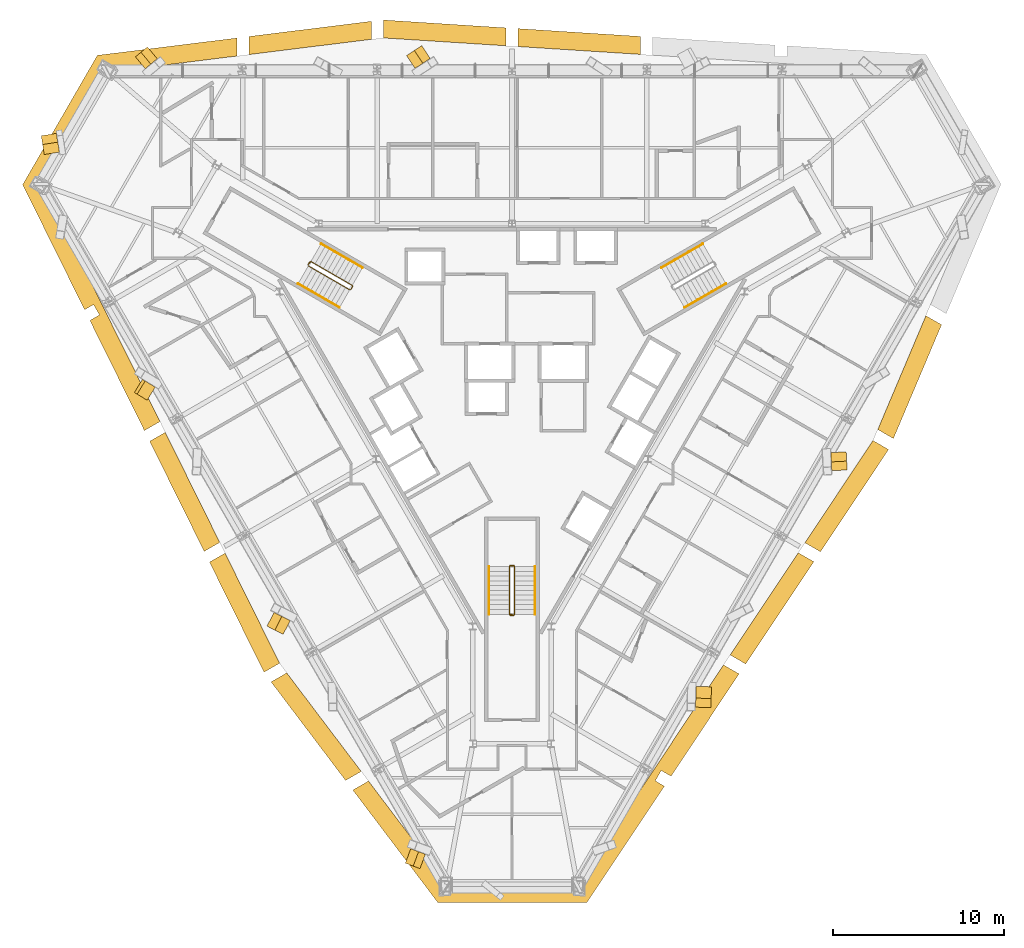
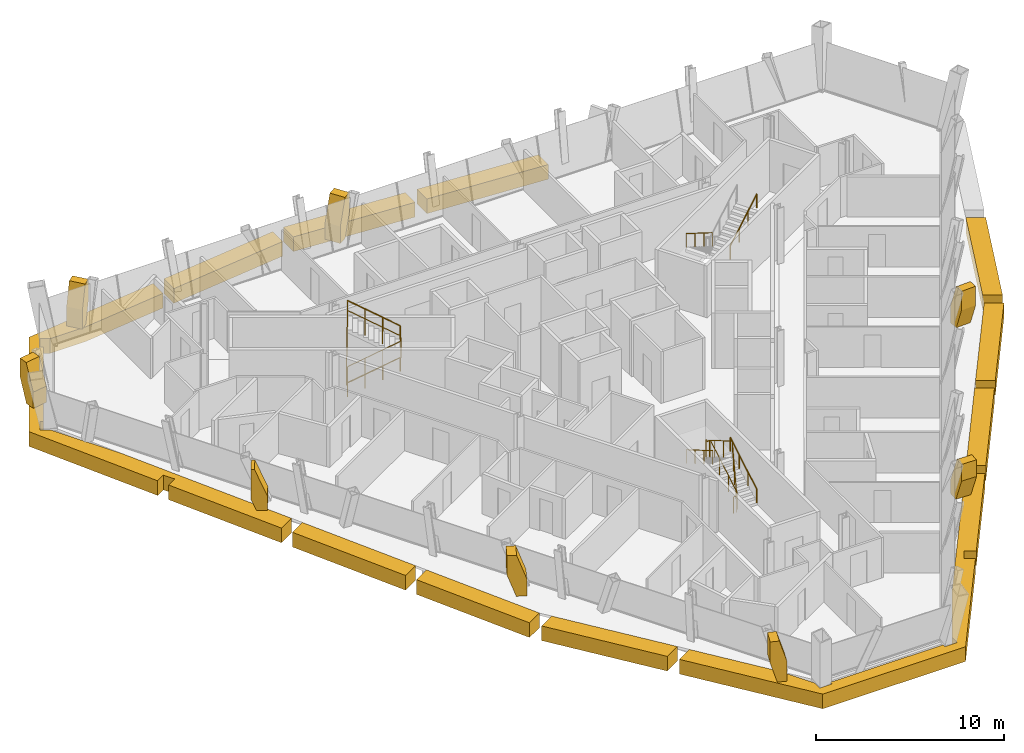
# One storey, part 12 of 13: 19 coverings, 8 railings.
"""IFC4 building model written with IfcOpenShell, lengths in metres."""

import ifcopenshell
import ifcopenshell.guid

model = None  # the IFC model being written
_history = None  # IfcOwnerHistory: only IFC2X3 demands one
_inside = {}  # id of a spatial element -> (the spatial element, [elements in it])
_under = {}  # id of a project, library or spatial element -> (it, [spatial elements below it])
_declared = {}  # id of a project -> (the project, [libraries it declares])
_typed = {}  # id of a type object -> (the type object, [elements of that type])
_made_of = {}  # id of a material, layer set ... -> (it, [elements and type objects made of it])


def new_model(schema):
    """Start an empty IFC model of exactly this schema.

    Asked for "IFC4X3", IfcOpenShell would pick the latest addendum, in which some entities
    have other attributes; the version numbers below select the first issue.
    IFC2X3 requires an IfcOwnerHistory on every rooted entity: one is made here for all.
    """
    global model, _history
    if schema == "IFC4X3":
        model = ifcopenshell.file(schema_version=(4, 3, 0, 0))
    else:
        model = ifcopenshell.file(schema=schema)
    _inside.clear()
    _under.clear()
    _declared.clear()
    _typed.clear()
    _made_of.clear()
    _history = None
    if model.schema == "IFC2X3":
        org = make("IfcOrganization", Name="unknown")
        user = make(
            "IfcPersonAndOrganization",
            ThePerson=make("IfcPerson", FamilyName="unknown"),
            TheOrganization=org,
        )
        app = make(
            "IfcApplication",
            ApplicationDeveloper=org,
            Version="unknown",
            ApplicationFullName="unknown",
            ApplicationIdentifier="unknown",
        )
        _history = make(
            "IfcOwnerHistory",
            OwningUser=user,
            OwningApplication=app,
            ChangeAction="ADDED",
            CreationDate=0,
        )
    return model


def make(cls, **values):
    """One entity of the class cls with the attributes given. An attribute that is None is left unset."""
    return model.create_entity(
        cls, **{name: value for name, value in values.items() if value is not None}
    )


def rooted(cls, **values):
    """An entity with a GlobalId (a new one), such as an element, a storey or a relation."""
    return make(cls, GlobalId=ifcopenshell.guid.new(), OwnerHistory=_history, **values)


def si_unit(unit_type, name, prefix=None):
    """IfcSIUnit, for example si_unit("LENGTHUNIT", "METRE", prefix="MILLI")."""
    return make("IfcSIUnit", UnitType=unit_type, Prefix=prefix, Name=name)


def assignment(units):
    """IfcUnitAssignment: the units of a project."""
    return None if units is None else make("IfcUnitAssignment", Units=units)


def point(xyz):
    """IfcCartesianPoint."""
    return None if xyz is None else make("IfcCartesianPoint", Coordinates=xyz)


def direction(xyz):
    """IfcDirection."""
    return None if xyz is None else make("IfcDirection", DirectionRatios=xyz)


def frame(location, z_axis=None, x_axis=None):
    """IfcAxis2Placement3D, a coordinate frame: its origin and axes. An axis left out is left unset."""
    return make(
        "IfcAxis2Placement3D",
        Location=point(location),
        Axis=direction(z_axis),
        RefDirection=direction(x_axis),
    )


def frame_2d(location, x_axis=None):
    """IfcAxis2Placement2D, a coordinate frame in the plane: its origin and x axis."""
    return make(
        "IfcAxis2Placement2D", Location=point(location), RefDirection=direction(x_axis)
    )


def origin():
    """The frame at (0, 0, 0) with its axes left unset."""
    return frame((0.0, 0.0, 0.0))


def origin_2d():
    """The frame at (0, 0) in the plane with its x axis left unset."""
    return frame_2d((0.0, 0.0))


def place(relative_to, where):
    """IfcLocalPlacement: puts the frame where relative to a parent placement (None: the world)."""
    return make(
        "IfcLocalPlacement", PlacementRelTo=relative_to, RelativePlacement=where
    )


def context(
    kind, dimensions, precision=None, world=None, true_north=None, identifier=None
):
    """IfcGeometricRepresentationContext, for example the 3D "Model" context."""
    return make(
        "IfcGeometricRepresentationContext",
        ContextIdentifier=identifier,
        ContextType=kind,
        CoordinateSpaceDimension=dimensions,
        Precision=precision,
        WorldCoordinateSystem=world,
        TrueNorth=true_north,
    )


def subcontext(parent, identifier, kind, view, scale=None):
    """IfcGeometricRepresentationSubContext, for example "Body" below "Model"."""
    return make(
        "IfcGeometricRepresentationSubContext",
        ContextIdentifier=identifier,
        ContextType=kind,
        ParentContext=parent,
        TargetScale=scale,
        TargetView=view,
    )


def project(units=None, contexts=None):
    """IfcProject with its units and contexts."""
    return rooted(
        "IfcProject",
        Name="project",
        RepresentationContexts=contexts,
        UnitsInContext=assignment(units),
    )


def spatial(cls, under=None, at=None, **own):
    """A site, building, storey or space (cls), placed at a placement, below another one or the project."""
    s = rooted(cls, ObjectPlacement=at, **own)
    if under is not None:
        _under.setdefault(under.id(), (under, []))[1].append(s)
    return s


def polyline(points):
    """IfcPolyline through the points."""
    return make("IfcPolyline", Points=[point(p) for p in points])


def profile(cls, at=None, kind="AREA", **sizes):
    """A parametric profile (cls). Its sizes go by their IFC names, for example OverallWidth=200.0."""
    return make(cls, ProfileType=kind, Position=at, **sizes)


def circle(**sizes):
    """IfcCircleProfileDef."""
    return profile("IfcCircleProfileDef", **sizes)


def outline(outer, holes=None, kind="AREA"):
    """IfcArbitraryClosedProfileDef: a profile drawn as a closed curve; with holes, ...WithVoids."""
    if holes is None:
        return make("IfcArbitraryClosedProfileDef", ProfileType=kind, OuterCurve=outer)
    return make(
        "IfcArbitraryProfileDefWithVoids",
        ProfileType=kind,
        OuterCurve=outer,
        InnerCurves=holes,
    )


def extrude(swept, where, along, depth):
    """IfcExtrudedAreaSolid: the profile swept, set in the frame where, extruded along a direction by depth."""
    return make(
        "IfcExtrudedAreaSolid",
        SweptArea=swept,
        Position=where,
        ExtrudedDirection=direction(along),
        Depth=depth,
    )


def shape(context_of_items, identifier, shape_type, items):
    """IfcShapeRepresentation: the items that make up one representation, for example the "Body"."""
    return make(
        "IfcShapeRepresentation",
        ContextOfItems=context_of_items,
        RepresentationIdentifier=identifier,
        RepresentationType=shape_type,
        Items=items,
    )


def material(Name=None, Category=None):
    """IfcMaterial."""
    return make("IfcMaterial", Name=Name, Category=Category)


def layer(
    of_material, thickness, ventilated=None, Name=None, Category=None, Priority=None
):
    """IfcMaterialLayer: one layer of a wall or slab, of a material (None: an air gap)."""
    return make(
        "IfcMaterialLayer",
        Material=of_material,
        LayerThickness=thickness,
        IsVentilated=ventilated,
        Name=Name,
        Category=Category,
        Priority=Priority,
    )


def layer_set(layers, Name=None):
    """IfcMaterialLayerSet."""
    return make("IfcMaterialLayerSet", MaterialLayers=layers, LayerSetName=Name)


def made_of(thing, what):
    """Note that an element or type object is made of a material, layer set ...; save() writes the relation."""
    if what is not None:
        _made_of.setdefault(what.id(), (what, []))[1].append(thing)
    return thing


def type_object(cls, material=None, **own):
    """A type object (cls), such as IfcWallType, which elements share."""
    return made_of(rooted(cls, **own), material)


def element(
    cls,
    number,
    at=None,
    inside=None,
    cuts=None,
    type_object=None,
    material=None,
    context=None,
    identifier="Body",
    shape_type=None,
    held_by="IfcProductDefinitionShape",
    body=None,
    shapes=None,
    **own,
):
    """One element of the class cls, such as IfcWall. Its Tag is "e" and its number.

    at: its placement. inside: the storey or other place that contains it. cuts: it is an
    opening in that element (IfcRelVoidsElement). A single representation is given by context,
    identifier, shape_type and body (its items); several are given by shapes. held_by: the class
    of the entity that holds the representations. save() writes the other relations.
    """
    e = rooted(cls, Tag="e%d" % number, ObjectPlacement=at, **own)
    if body is not None:
        shapes = [shape(context, identifier, shape_type, body)]
    if shapes is not None:
        e.Representation = make(held_by, Representations=shapes)
    if inside is not None:
        _inside.setdefault(inside.id(), (inside, []))[1].append(e)
    if cuts is not None:
        rooted(
            "IfcRelVoidsElement", RelatingBuildingElement=cuts, RelatedOpeningElement=e
        )
    if type_object is not None:
        _typed.setdefault(type_object.id(), (type_object, []))[1].append(e)
    return made_of(e, material)


def aggregate(whole, parts):
    """IfcRelAggregates: a whole, such as a stair, and the parts it consists of."""
    return rooted("IfcRelAggregates", RelatingObject=whole, RelatedObjects=parts)


def save(model, path):
    """Write the relations noted so far, then the file.

    IfcRelAggregates (storeys below a building ...), IfcRelContainedInSpatialStructure (elements
    in a storey), IfcRelDefinesByType, IfcRelAssociatesMaterial and IfcRelDeclares: one each for
    every whole, place, type object, material and project.
    """
    for whole, parts in _under.values():
        aggregate(whole, parts)
    for where, things in _inside.values():
        rooted(
            "IfcRelContainedInSpatialStructure",
            RelatedElements=things,
            RelatingStructure=where,
        )
    for kind, things in _typed.values():
        rooted("IfcRelDefinesByType", RelatedObjects=things, RelatingType=kind)
    for what, things in _made_of.values():
        rooted("IfcRelAssociatesMaterial", RelatedObjects=things, RelatingMaterial=what)
    for by, libraries in _declared.values():
        rooted("IfcRelDeclares", RelatingContext=by, RelatedDefinitions=libraries)
    model.write(path)


model = new_model("IFC4")

# Units and contexts
model_context = context("Model", 3, precision=1e-05, world=origin(), true_north=direction((0.0, 1.0)))
body_context = subcontext(model_context, "Body", "Model", "MODEL_VIEW")
ifc_project = project(units=[si_unit("LENGTHUNIT", "METRE"), si_unit("AREAUNIT", "SQUARE_METRE"), si_unit("VOLUMEUNIT", "CUBIC_METRE"), si_unit("PLANEANGLEUNIT", "RADIAN"), si_unit("MASSUNIT", "GRAM", prefix="KILO")], contexts=[model_context])

# Site, building, storey
site_placement = place(None, origin())
site = spatial("IfcSite", under=ifc_project, at=site_placement, CompositionType="ELEMENT")
building_placement = place(site_placement, origin())
building = spatial("IfcBuilding", under=site, at=building_placement, Name="Verrane Prism Tower", CompositionType="ELEMENT")
storey_placement = place(building_placement, frame((0.0, 0.0, 100.0)))
storey = spatial("IfcBuildingStorey", under=building, at=storey_placement, Name="L23", CompositionType="ELEMENT", Elevation=100.0)

# Railings
ifc_material_1 = material(Name="Steel A36 rail and posts, no infill", Category="steel")
railing_type_1 = type_object("IfcRailingType", Name="Stair guard 1100 steel rail and posts", PredefinedType="GUARDRAIL", material=ifc_material_1)
railing_1_placement = place(storey_placement, frame((-11.939453125, 6.72021484375, 0.16357421875)))
element("IfcRailing", 1, at=railing_1_placement, inside=storey, type_object=railing_type_1, Name="Stair 2 guard", PredefinedType="GUARDRAIL", context=body_context, shape_type="SweptSolid", body=[
    extrude(circle(Radius=0.02392578125, at=origin_2d()), frame((0.0, 0.0, 1.076171875), z_axis=(0.747665513933, -0.431721881032, 0.504591415616), x_axis=(0.500049511043, 0.865996816683, 0.0)), (0.0, 0.0, 1.0), 3.2431640625),
    extrude(circle(Radius=0.02392578125, at=origin_2d()), frame((2.4248046875, -1.400146484375, 2.71240234375), z_axis=(0.965948051503, 0.258736085224, 0.0), x_axis=(-0.258736085224, 0.965948051503, 0.0)), (0.0, 0.0, 1.0), 0.07080078125),
    extrude(circle(Radius=0.02392578125, at=origin_2d()), frame((2.4931640625, -1.3818359375, 2.71240234375), z_axis=(0.499158860599, 0.866510491504, 0.0), x_axis=(-0.866510491504, 0.499158860599, 0.0)), (0.0, 0.0, 1.0), 0.199951171875),
    extrude(circle(Radius=0.02392578125, at=origin_2d()), frame((2.593017578125, -1.20849609375, 2.71240234375), z_axis=(-0.102791240646, 0.382383415203, 0.918268416436), x_axis=(-0.965715946433, -0.259601060869, 0.0)), (0.0, 0.0, 1.0), 0.17822265625),
    extrude(circle(Radius=0.02392578125, at=origin_2d()), frame((2.57470703125, -1.140380859375, 2.8759765625), z_axis=(-0.747665513933, 0.431721881032, 0.504591415616), x_axis=(-0.500049511043, -0.865996816683, 0.0)), (0.0, 0.0, 1.0), 3.2431640625),
    extrude(circle(Radius=0.02392578125, at=origin_2d()), frame((0.14990234375, 0.259765625, 4.5126953125), z_axis=(-0.046607763296, -0.053101733218, -0.99750083826), x_axis=(0.751567565678, -0.659656118156, 0.0)), (0.0, 0.0, 1.0), 3.609130859375),
    extrude(circle(Radius=0.02392578125, at=origin_2d()), frame((-0.018310546875, 0.068115234375, 0.91259765625), z_axis=(0.499158860599, 0.866510491504, 0.0), x_axis=(-0.866510491504, 0.499158860599, 0.0)), (0.0, 0.0, 1.0), 0.199951171875),
    extrude(circle(Radius=0.02099609375, at=origin_2d()), origin(), (0.0, 0.0, 1.0), 1.052001953125),
    extrude(circle(Radius=0.02099609375, at=origin_2d()), frame((0.808349609375, -0.466796875, 0.54541015625)), (0.0, 0.0, 1.0), 1.052001953125),
    extrude(circle(Radius=0.02099609375, at=origin_2d()), frame((1.616455078125, -0.933349609375, 1.091064453125)), (0.0, 0.0, 1.0), 1.052001953125),
    extrude(circle(Radius=0.02099609375, at=origin_2d()), frame((2.4248046875, -1.400146484375, 1.636474609375)), (0.0, 0.0, 1.0), 1.052001953125),
    extrude(circle(Radius=0.02099609375, at=origin_2d()), frame((2.4931640625, -1.3818359375, 1.636474609375)), (0.0, 0.0, 1.0), 1.052001953125),
    extrude(circle(Radius=0.02099609375, at=origin_2d()), frame((2.593017578125, -1.20849609375, 1.636474609375)), (0.0, 0.0, 1.0), 1.052001953125),
    extrude(circle(Radius=0.02099609375, at=origin_2d()), frame((2.57470703125, -1.140380859375, 1.800048828125)), (0.0, 0.0, 1.0), 1.052001953125),
    extrude(circle(Radius=0.02099609375, at=origin_2d()), frame((1.766357421875, -0.673583984375, 2.345458984375)), (0.0, 0.0, 1.0), 1.052001953125),
    extrude(circle(Radius=0.02099609375, at=origin_2d()), frame((0.958251953125, -0.20703125, 2.89111328125)), (0.0, 0.0, 1.0), 1.052001953125),
    extrude(circle(Radius=0.02099609375, at=origin_2d()), frame((0.14990234375, 0.259765625, 3.4365234375)), (0.0, 0.0, 1.0), 1.052001953125),
    extrude(circle(Radius=0.02099609375, at=origin_2d()), frame((0.10791015625, 0.2119140625, 2.53662109375)), (0.0, 0.0, 1.0), 1.052001953125),
    extrude(circle(Radius=0.02099609375, at=origin_2d()), frame((0.06591796875, 0.1640625, 1.636474609375)), (0.0, 0.0, 1.0), 1.052001953125),
    extrude(circle(Radius=0.02099609375, at=origin_2d()), frame((0.023681640625, 0.115966796875, 0.736328125)), (0.0, 0.0, 1.0), 1.052001953125),
    extrude(circle(Radius=0.02099609375, at=origin_2d()), frame((-0.018310546875, 0.068115234375, -0.16357421875)), (0.0, 0.0, 1.0), 1.052001953125),
    extrude(circle(Radius=0.02099609375, at=origin_2d()), frame((0.08154296875, 0.241455078125, -0.16357421875)), (0.0, 0.0, 1.0), 1.052001953125),
])
railing_2_placement = place(storey_placement, frame((0.14990234375, -13.699951171875, 0.16357421875)))
element("IfcRailing", 2, at=railing_2_placement, inside=storey, type_object=railing_type_1, Name="Stair 3 guard", PredefinedType="GUARDRAIL", context=body_context, shape_type="SweptSolid", body=[
    extrude(circle(Radius=0.02392578125, at=origin_2d()), frame((0.0, 0.0, 1.076171875), z_axis=(0.0, 0.863360870873, 0.504586966384), x_axis=(-1.0, 0.0, 0.0)), (0.0, 0.0, 1.0), 3.2431640625),
    extrude(circle(Radius=0.02392578125, at=origin_2d()), frame((0.0, 2.800048828125, 2.71240234375), z_axis=(-0.707106781187, 0.707106781187, 0.0), x_axis=(-0.707106781187, -0.707106781187, 0.0)), (0.0, 0.0, 1.0), 0.0703125),
    extrude(circle(Radius=0.02392578125, at=origin_2d()), frame((-0.0498046875, 2.849853515625, 2.71240234375), z_axis=(-1.0, 0.0, 0.0), x_axis=(0.0, -1.0, 0.0)), (0.0, 0.0, 1.0), 0.2001953125),
    extrude(circle(Radius=0.02392578125, at=origin_2d()), frame((-0.25, 2.849853515625, 2.71240234375), z_axis=(-0.279653641804, -0.279653641804, 0.918470294159), x_axis=(0.707106781187, -0.707106781187, 0.0)), (0.0, 0.0, 1.0), 0.177978515625),
    extrude(circle(Radius=0.02392578125, at=origin_2d()), frame((-0.2998046875, 2.800048828125, 2.8759765625), z_axis=(0.0, -0.863360870873, 0.504586966384), x_axis=(1.0, 0.0, 0.0)), (0.0, 0.0, 1.0), 3.2431640625),
    extrude(circle(Radius=0.02392578125, at=origin_2d()), frame((-0.2998046875, 0.0, 4.5126953125), z_axis=(0.069269067181, -0.013867342551, -0.997501625634), x_axis=(0.196300278283, 0.98054382908, 0.0)), (0.0, 0.0, 1.0), 3.609130859375),
    extrude(circle(Radius=0.02392578125, at=origin_2d()), frame((-0.0498046875, -0.050048828125, 0.91259765625), z_axis=(-1.0, 0.0, 0.0), x_axis=(0.0, -1.0, 0.0)), (0.0, 0.0, 1.0), 0.2001953125),
    extrude(circle(Radius=0.02099609375, at=origin_2d()), origin(), (0.0, 0.0, 1.0), 1.052001953125),
    extrude(circle(Radius=0.02099609375, at=origin_2d()), frame((0.0, 0.933349609375, 0.54541015625)), (0.0, 0.0, 1.0), 1.052001953125),
    extrude(circle(Radius=0.02099609375, at=origin_2d()), frame((0.0, 1.86669921875, 1.091064453125)), (0.0, 0.0, 1.0), 1.052001953125),
    extrude(circle(Radius=0.02099609375, at=origin_2d()), frame((0.0, 2.800048828125, 1.636474609375)), (0.0, 0.0, 1.0), 1.052001953125),
    extrude(circle(Radius=0.02099609375, at=origin_2d()), frame((-0.0498046875, 2.849853515625, 1.636474609375)), (0.0, 0.0, 1.0), 1.052001953125),
    extrude(circle(Radius=0.02099609375, at=origin_2d()), frame((-0.25, 2.849853515625, 1.636474609375)), (0.0, 0.0, 1.0), 1.052001953125),
    extrude(circle(Radius=0.02099609375, at=origin_2d()), frame((-0.2998046875, 2.800048828125, 1.800048828125)), (0.0, 0.0, 1.0), 1.052001953125),
    extrude(circle(Radius=0.02099609375, at=origin_2d()), frame((-0.2998046875, 1.86669921875, 2.345458984375)), (0.0, 0.0, 1.0), 1.052001953125),
    extrude(circle(Radius=0.02099609375, at=origin_2d()), frame((-0.2998046875, 0.933349609375, 2.89111328125)), (0.0, 0.0, 1.0), 1.052001953125),
    extrude(circle(Radius=0.02099609375, at=origin_2d()), frame((-0.2998046875, 0.0, 3.4365234375)), (0.0, 0.0, 1.0), 1.052001953125),
    extrude(circle(Radius=0.02099609375, at=origin_2d()), frame((-0.2373046875, -0.012451171875, 2.53662109375)), (0.0, 0.0, 1.0), 1.052001953125),
    extrude(circle(Radius=0.02099609375, at=origin_2d()), frame((-0.1748046875, -0.02490234375, 1.636474609375)), (0.0, 0.0, 1.0), 1.052001953125),
    extrude(circle(Radius=0.02099609375, at=origin_2d()), frame((-0.1123046875, -0.03759765625, 0.736328125)), (0.0, 0.0, 1.0), 1.052001953125),
    extrude(circle(Radius=0.02099609375, at=origin_2d()), frame((-0.0498046875, -0.050048828125, -0.16357421875)), (0.0, 0.0, 1.0), 1.052001953125),
    extrude(circle(Radius=0.02099609375, at=origin_2d()), frame((-0.25, -0.050048828125, -0.16357421875)), (0.0, 0.0, 1.0), 1.052001953125),
])
ifc_material_2 = material(Name="Steel A36 tube", Category="steel")
railing_type_2 = type_object("IfcRailingType", Name="Stair handrail 900 steel tube", PredefinedType="HANDRAIL", material=ifc_material_2)
railing_3_placement = place(storey_placement, frame((11.189453125, 8.01904296875, 0.16357421875)))
element("IfcRailing", 3, at=railing_3_placement, inside=storey, type_object=railing_type_2, Name="Stair 1 handrail", PredefinedType="HANDRAIL", context=body_context, shape_type="SweptSolid", body=[
    extrude(circle(Radius=0.02392578125, at=origin_2d()), frame((0.0, 0.0, 0.8759765625), z_axis=(-0.747689811644, -0.431660630283, 0.504607813879), x_axis=(0.49998411664, -0.866034573852, 0.0)), (0.0, 0.0, 1.0), 3.2431640625),
    extrude(circle(Radius=0.02099609375, at=origin_2d()), origin(), (0.0, 0.0, 1.0), 0.851806640625),
    extrude(circle(Radius=0.02099609375, at=origin_2d()), frame((-0.808349609375, -0.466552734375, 0.54541015625)), (0.0, 0.0, 1.0), 0.851806640625),
    extrude(circle(Radius=0.02099609375, at=origin_2d()), frame((-1.616455078125, -0.933349609375, 1.091064453125)), (0.0, 0.0, 1.0), 0.851806640625),
    extrude(circle(Radius=0.02099609375, at=origin_2d()), frame((-2.4248046875, -1.39990234375, 1.636474609375)), (0.0, 0.0, 1.0), 0.851806640625),
])
railing_4_placement = place(storey_placement, frame((10.11474609375, 4.28076171875, 1.963623046875)))
element("IfcRailing", 4, at=railing_4_placement, inside=storey, type_object=railing_type_2, Name="Stair 1 handrail", PredefinedType="HANDRAIL", context=body_context, shape_type="SweptSolid", body=[
    extrude(circle(Radius=0.02392578125, at=origin_2d()), frame((0.0, 0.0, 0.8759765625), z_axis=(0.747665513933, 0.431721881032, 0.504591415616), x_axis=(-0.500049511043, 0.865996816683, 0.0)), (0.0, 0.0, 1.0), 3.2431640625),
    extrude(circle(Radius=0.02099609375, at=origin_2d()), origin(), (0.0, 0.0, 1.0), 0.851806640625),
    extrude(circle(Radius=0.02099609375, at=origin_2d()), frame((0.808349609375, 0.466796875, 0.54541015625)), (0.0, 0.0, 1.0), 0.851806640625),
    extrude(circle(Radius=0.02099609375, at=origin_2d()), frame((1.616455078125, 0.933349609375, 1.091064453125)), (0.0, 0.0, 1.0), 0.851806640625),
    extrude(circle(Radius=0.02099609375, at=origin_2d()), frame((2.4248046875, 1.400146484375, 1.636474609375)), (0.0, 0.0, 1.0), 0.851806640625),
])
railing_5_placement = place(storey_placement, frame((-12.53955078125, 5.680908203125, 0.16357421875)))
element("IfcRailing", 5, at=railing_5_placement, inside=storey, type_object=railing_type_2, Name="Stair 2 handrail", PredefinedType="HANDRAIL", context=body_context, shape_type="SweptSolid", body=[
    extrude(circle(Radius=0.02392578125, at=origin_2d()), frame((0.0, 0.0, 0.8759765625), z_axis=(0.747665513933, -0.431721881032, 0.504591415616), x_axis=(0.500049511043, 0.865996816683, 0.0)), (0.0, 0.0, 1.0), 3.2431640625),
    extrude(circle(Radius=0.02099609375, at=origin_2d()), origin(), (0.0, 0.0, 1.0), 0.851806640625),
    extrude(circle(Radius=0.02099609375, at=origin_2d()), frame((0.808349609375, -0.466796875, 0.54541015625)), (0.0, 0.0, 1.0), 0.851806640625),
    extrude(circle(Radius=0.02099609375, at=origin_2d()), frame((1.616455078125, -0.933349609375, 1.091064453125)), (0.0, 0.0, 1.0), 0.851806640625),
    extrude(circle(Radius=0.02099609375, at=origin_2d()), frame((2.4248046875, -1.400146484375, 1.636474609375)), (0.0, 0.0, 1.0), 0.851806640625),
])
railing_6_placement = place(storey_placement, frame((-8.7646484375, 6.619140625, 1.963623046875)))
element("IfcRailing", 6, at=railing_6_placement, inside=storey, type_object=railing_type_2, Name="Stair 2 handrail", PredefinedType="HANDRAIL", context=body_context, shape_type="SweptSolid", body=[
    extrude(circle(Radius=0.02392578125, at=origin_2d()), frame((0.0, 0.0, 0.8759765625), z_axis=(-0.747689811644, 0.431660630283, 0.504607813879), x_axis=(-0.49998411664, -0.866034573852, 0.0)), (0.0, 0.0, 1.0), 3.2431640625),
    extrude(circle(Radius=0.02099609375, at=origin_2d()), origin(), (0.0, 0.0, 1.0), 0.851806640625),
    extrude(circle(Radius=0.02099609375, at=origin_2d()), frame((-0.808349609375, 0.466552734375, 0.54541015625)), (0.0, 0.0, 1.0), 0.851806640625),
    extrude(circle(Radius=0.02099609375, at=origin_2d()), frame((-1.616455078125, 0.933349609375, 1.091064453125)), (0.0, 0.0, 1.0), 0.851806640625),
    extrude(circle(Radius=0.02099609375, at=origin_2d()), frame((-2.4248046875, 1.39990234375, 1.636474609375)), (0.0, 0.0, 1.0), 0.851806640625),
])
railing_7_placement = place(storey_placement, frame((1.35009765625, -13.699951171875, 0.16357421875)))
element("IfcRailing", 7, at=railing_7_placement, inside=storey, type_object=railing_type_2, Name="Stair 3 handrail", PredefinedType="HANDRAIL", context=body_context, shape_type="SweptSolid", body=[
    extrude(circle(Radius=0.02392578125, at=origin_2d()), frame((0.0, 0.0, 0.8759765625), z_axis=(0.0, 0.863360870873, 0.504586966384), x_axis=(-1.0, 0.0, 0.0)), (0.0, 0.0, 1.0), 3.2431640625),
    extrude(circle(Radius=0.02099609375, at=origin_2d()), origin(), (0.0, 0.0, 1.0), 0.851806640625),
    extrude(circle(Radius=0.02099609375, at=origin_2d()), frame((0.0, 0.933349609375, 0.54541015625)), (0.0, 0.0, 1.0), 0.851806640625),
    extrude(circle(Radius=0.02099609375, at=origin_2d()), frame((0.0, 1.86669921875, 1.091064453125)), (0.0, 0.0, 1.0), 0.851806640625),
    extrude(circle(Radius=0.02099609375, at=origin_2d()), frame((0.0, 2.800048828125, 1.636474609375)), (0.0, 0.0, 1.0), 0.851806640625),
])
railing_8_placement = place(storey_placement, frame((-1.35009765625, -10.89990234375, 1.963623046875)))
element("IfcRailing", 8, at=railing_8_placement, inside=storey, type_object=railing_type_2, Name="Stair 3 handrail", PredefinedType="HANDRAIL", context=body_context, shape_type="SweptSolid", body=[
    extrude(circle(Radius=0.02392578125, at=origin_2d()), frame((0.0, 0.0, 0.8759765625), z_axis=(0.0, -0.863360870873, 0.504586966384), x_axis=(1.0, 0.0, 0.0)), (0.0, 0.0, 1.0), 3.2431640625),
    extrude(circle(Radius=0.02099609375, at=origin_2d()), origin(), (0.0, 0.0, 1.0), 0.851806640625),
    extrude(circle(Radius=0.02099609375, at=origin_2d()), frame((0.0, -0.933349609375, 0.54541015625)), (0.0, 0.0, 1.0), 0.851806640625),
    extrude(circle(Radius=0.02099609375, at=origin_2d()), frame((0.0, -1.86669921875, 1.091064453125)), (0.0, 0.0, 1.0), 0.851806640625),
    extrude(circle(Radius=0.02099609375, at=origin_2d()), frame((0.0, -2.800048828125, 1.636474609375)), (0.0, 0.0, 1.0), 0.851806640625),
])

# Coverings
ifc_material_3 = material(Name="Warm limestone cladding", Category="masonry")
ifc_layer_1 = layer(ifc_material_3, 0.89990234375)
ifc_layer_set_1 = layer_set([ifc_layer_1], Name="Stone brace fin 900")
covering_type_1 = type_object("IfcCoveringType", Name="Stone brace fin 900", PredefinedType="CLADDING", material=ifc_layer_set_1)
covering_1_placement = place(storey_placement, frame((-5.93310546875, 18.679443359375, 0.0), z_axis=(0.0, 0.0, 1.0), x_axis=(0.837276941202, 0.546779044707, 0.0)))
element("IfcCovering", 9, at=covering_1_placement, inside=storey, type_object=covering_type_1, Name="Stone brace fin N4 L23", PredefinedType="CLADDING", context=body_context, shape_type="SweptSolid", body=[
    extrude(outline(polyline([(1.063232421875, 2.64990234375), (0.545166015625, 2.64990234375), (0.0, 1.10791015625), (0.0, 0.0), (0.56298828125, 0.0), (1.063232421875, 1.415283203125), (1.063232421875, 2.64990234375)])), frame((0.0, 0.449951171875, 0.0), z_axis=(0.0, -1.0, 0.0), x_axis=(1.0, 0.0, 0.0)), (0.0, 0.0, 1.0), 0.89990234375),
])
covering_2_placement = place(storey_placement, frame((-21.7890625, 18.6318359375, 0.0), z_axis=(0.0, 0.0, 1.0), x_axis=(0.769626178598, 0.638494749561, 0.0)))
element("IfcCovering", 10, at=covering_2_placement, inside=storey, type_object=covering_type_1, Name="Stone brace fin N6 L23", PredefinedType="CLADDING", context=body_context, shape_type="SweptSolid", body=[
    extrude(outline(polyline([(0.910400390625, 2.64990234375), (0.42138671875, 2.64990234375), (0.0, 1.25732421875), (0.0, 0.0), (0.52734375, 0.0), (0.910400390625, 1.265625), (0.910400390625, 2.64990234375)])), frame((0.0, 0.449951171875, 0.0), z_axis=(0.0, -1.0, 0.0), x_axis=(1.0, 0.0, 0.0)), (0.0, 0.0, 1.0), 0.89990234375),
])
covering_3_placement = place(storey_placement, frame((-21.1552734375, -0.76806640625, 0.0), z_axis=(0.0, 0.0, 1.0), x_axis=(-0.853454201366, 0.521167848366, 0.0)))
element("IfcCovering", 11, at=covering_3_placement, inside=storey, type_object=covering_type_1, Name="Stone brace fin SW2 L23", PredefinedType="CLADDING", context=body_context, shape_type="SweptSolid", body=[
    extrude(outline(polyline([(0.875244140625, 2.64990234375), (0.688720703125, 2.64990234375), (0.0, 0.95361328125), (0.0, 0.0), (0.584228515625, 0.0), (0.875244140625, 0.716796875), (0.875244140625, 2.64990234375)])), frame((0.0, 0.449951171875, 0.0), z_axis=(0.0, -1.0, 0.0), x_axis=(1.0, 0.0, 0.0)), (0.0, 0.0, 1.0), 0.89990234375),
])
covering_4_placement = place(storey_placement, frame((-13.212158203125, -14.47705078125, 0.0), z_axis=(0.0, 0.0, 1.0), x_axis=(-0.890953547635, 0.454094457087, 0.0)))
element("IfcCovering", 12, at=covering_4_placement, inside=storey, type_object=covering_type_1, Name="Stone brace fin SW4 L23", PredefinedType="CLADDING", context=body_context, shape_type="SweptSolid", body=[
    extrude(outline(polyline([(1.062255859375, 2.64990234375), (0.544189453125, 2.64990234375), (0.0, 1.10888671875), (0.0, 0.0), (0.56298828125, 0.0), (1.062255859375, 1.414306640625), (1.062255859375, 2.64990234375)])), frame((0.0, 0.449951171875, 0.0), z_axis=(0.0, -1.0, 0.0), x_axis=(1.0, 0.0, 0.0)), (0.0, 0.0, 1.0), 0.89990234375),
])
covering_5_placement = place(storey_placement, frame((-5.237548828125, -28.18896484375, 0.0), z_axis=(0.0, 0.0, 1.0), x_axis=(-0.937748760724, 0.347314355824, 0.0)))
element("IfcCovering", 13, at=covering_5_placement, inside=storey, type_object=covering_type_1, Name="Stone brace fin SW6 L23", PredefinedType="CLADDING", context=body_context, shape_type="SweptSolid", body=[
    extrude(outline(polyline([(0.913818359375, 2.64990234375), (0.423095703125, 2.64990234375), (0.0, 1.25732421875), (0.0, 0.0), (0.529296875, 0.0), (0.913818359375, 1.265625), (0.913818359375, 2.64990234375)])), frame((0.0, 0.449951171875, 0.0), z_axis=(0.0, -1.0, 0.0), x_axis=(1.0, 0.0, 0.0)), (0.0, 0.0, 1.0), 0.89990234375),
])
covering_6_placement = place(storey_placement, frame((11.245361328125, -17.9423828125, 0.0), z_axis=(0.0, 0.0, 1.0), x_axis=(-0.027856066617, -0.999611944483, 0.0)))
element("IfcCovering", 14, at=covering_6_placement, inside=storey, type_object=covering_type_1, Name="Stone brace fin SE2 L23", PredefinedType="CLADDING", context=body_context, shape_type="SweptSolid", body=[
    extrude(outline(polyline([(1.21826171875, 2.64990234375), (0.68603515625, 2.64990234375), (0.0, 0.956298828125), (0.0, 0.0), (0.583740234375, 0.0), (1.21826171875, 1.56689453125), (1.21826171875, 2.64990234375)])), frame((0.0, 0.449951171875, 0.0), z_axis=(0.0, -1.0, 0.0), x_axis=(1.0, 0.0, 0.0)), (0.0, 0.0, 1.0), 0.89990234375),
])
covering_7_placement = place(storey_placement, frame((19.143310546875, -4.199951171875, 0.0), z_axis=(0.0, 0.0, 1.0), x_axis=(0.0532454373, -0.998581455569, 0.0)))
element("IfcCovering", 15, at=covering_7_placement, inside=storey, type_object=covering_type_1, Name="Stone brace fin SE4 L23", PredefinedType="CLADDING", context=body_context, shape_type="SweptSolid", body=[
    extrude(outline(polyline([(1.063720703125, 2.64990234375), (0.545654296875, 2.64990234375), (0.0, 1.107177734375), (0.0, 0.0), (0.56298828125, 0.0), (1.063720703125, 1.416015625), (1.063720703125, 2.64990234375)])), frame((0.0, 0.449951171875, 0.0), z_axis=(0.0, -1.0, 0.0), x_axis=(1.0, 0.0, 0.0)), (0.0, 0.0, 1.0), 0.89990234375),
])
covering_8_placement = place(storey_placement, frame((-26.979736328125, 13.322509765625, 0.0), z_axis=(0.0, 0.0, 1.0), x_axis=(-0.158067454713, 0.987428316264, 0.0)))
element("IfcCovering", 16, at=covering_8_placement, inside=storey, type_object=covering_type_1, Name="Stone brace fin NW1 L23", PredefinedType="CLADDING", context=body_context, shape_type="SweptSolid", body=[
    extrude(outline(polyline([(1.11376953125, 2.64990234375), (0.59375, 2.64990234375), (0.0, 1.049072265625), (0.0, 0.0), (0.57080078125, 0.0), (1.11376953125, 1.4638671875), (1.11376953125, 2.64990234375)])), frame((0.0, 0.449951171875, 0.0), z_axis=(0.0, -1.0, 0.0), x_axis=(1.0, 0.0, 0.0)), (0.0, 0.0, 1.0), 0.89990234375),
])
ifc_material_4 = material(Name="Warm limestone cladding", Category="masonry")
ifc_layer_2 = layer(ifc_material_4, 0.449951171875)
ifc_layer_set_2 = layer_set([ifc_layer_2], Name="Stone spandrel band 450")
covering_type_2 = type_object("IfcCoveringType", Name="Stone spandrel band 450", PredefinedType="CLADDING", material=ifc_layer_set_2)
covering_9_placement = place(storey_placement, frame((0.0, 0.0, -0.949951171875)))
element("IfcCovering", 17, at=covering_9_placement, inside=storey, type_object=covering_type_2, Name="Stone spandrel band L23 part 1", PredefinedType="CLADDING", context=body_context, shape_type="SweptSolid", body=[
    extrude(outline(polyline([(4.397216796875, -30.587646484375), (8.93310546875, -23.777099609375), (8.39794921875, -23.46826171875), (8.748046875, -22.862060546875), (9.32177734375, -23.193359375), (13.314208984375, -17.198974609375), (12.403076171875, -16.6728515625), (6.4375, -25.630126953125), (4.2099609375, -29.488037109375), (4.2099609375, -30.02001953125), (3.449951171875, -30.02001953125), (3.449951171875, -29.837646484375), (-1.63232421875, -29.837646484375), (-1.645263671875, -29.853515625), (-1.664794921875, -29.837646484375), (-1.732177734375, -29.837646484375), (-1.732177734375, -29.840087890625), (-1.79541015625, -29.840087890625), (-1.79541015625, -29.837646484375), (-2.5400390625, -29.837646484375), (-2.5400390625, -29.840087890625), (-2.64501953125, -29.840087890625), (-2.64501953125, -29.837646484375), (-2.826416015625, -29.837646484375), (-2.826416015625, -29.840087890625), (-2.8896484375, -29.840087890625), (-2.8896484375, -29.837646484375), (-3.449951171875, -29.837646484375), (-3.449951171875, -30.02001953125), (-4.2099609375, -30.02001953125), (-4.2099609375, -29.488037109375), (-5.301513671875, -27.597412109375), (-8.415283203125, -23.478271484375), (-9.33154296875, -24.00732421875), (-4.357421875, -30.587646484375), (4.397216796875, -30.587646484375)])), origin(), (0.0, 0.0, 1.0), 0.949951171875),
])
covering_10_placement = place(storey_placement, frame((0.0, 0.0, -0.949951171875)))
element("IfcCovering", 18, at=covering_10_placement, inside=storey, type_object=covering_type_2, Name="Stone spandrel band L23 part 3", PredefinedType="CLADDING", context=body_context, shape_type="SweptSolid", body=[
    extrude(outline(polyline([(-27.256591796875, 12.47021484375), (-27.254638671875, 12.468994140625), (-27.163818359375, 12.626220703125), (-27.165771484375, 12.62744140625), (-27.113037109375, 12.71826171875), (-27.111083984375, 12.71728515625), (-26.73828125, 13.363037109375), (-26.73974609375, 13.364013671875), (-26.7080078125, 13.418701171875), (-26.70654296875, 13.41796875), (-26.672607421875, 13.476806640625), (-26.67626953125, 13.50048828125), (-26.6572265625, 13.503662109375), (-24.11181640625, 17.912109375), (-24.265625, 18.0009765625), (-23.8857421875, 18.6591796875), (-23.419677734375, 18.389892578125), (-21.249267578125, 18.389892578125), (-16.125244140625, 19.02685546875), (-16.125244140625, 20.0849609375), (-24.310791015625, 19.0673828125), (-28.688232421875, 11.485595703125), (-25.05810546875, 4.15234375), (-24.53369140625, 4.455078125), (-24.18359375, 3.84912109375), (-24.7470703125, 3.523681640625), (-21.5517578125, -2.930908203125), (-20.640625, -2.40478515625), (-25.4150390625, 7.239990234375), (-27.638427734375, 11.091064453125), (-28.105712890625, 11.36083984375), (-27.7255859375, 12.01904296875), (-27.567138671875, 11.927490234375), (-27.2861328125, 12.4140625), (-27.288330078125, 12.415283203125), (-27.256591796875, 12.47021484375)])), origin(), (0.0, 0.0, 1.0), 0.949951171875),
])
covering_11_placement = place(storey_placement, frame((0.0, 0.0, -0.949951171875)))
element("IfcCovering", 19, at=covering_11_placement, inside=storey, type_object=covering_type_2, Name="Stone spandrel band L23 part 4", PredefinedType="CLADDING", context=body_context, shape_type="SweptSolid", body=[
    extrude(outline(polyline([(-17.134033203125, -9.48828125), (-20.329345703125, -3.033447265625), (-21.240478515625, -3.5595703125), (-18.04541015625, -10.014404296875), (-17.134033203125, -9.48828125)])), origin(), (0.0, 0.0, 1.0), 0.949951171875),
])
covering_12_placement = place(storey_placement, frame((0.0, 0.0, -0.949951171875)))
element("IfcCovering", 20, at=covering_12_placement, inside=storey, type_object=covering_type_2, Name="Stone spandrel band L23 part 5", PredefinedType="CLADDING", context=body_context, shape_type="SweptSolid", body=[
    extrude(outline(polyline([(-13.627685546875, -16.57177734375), (-16.822998046875, -10.116943359375), (-17.734130859375, -10.64306640625), (-14.538818359375, -17.09765625), (-13.627685546875, -16.57177734375)])), origin(), (0.0, 0.0, 1.0), 0.949951171875),
])
covering_13_placement = place(storey_placement, frame((0.0, 0.0, -0.949951171875)))
element("IfcCovering", 21, at=covering_13_placement, inside=storey, type_object=covering_type_2, Name="Stone spandrel band L23 part 6", PredefinedType="CLADDING", context=body_context, shape_type="SweptSolid", body=[
    extrude(outline(polyline([(-9.7568359375, -23.444580078125), (-8.840576171875, -22.91552734375), (-13.2080078125, -17.1376953125), (-14.124267578125, -17.666748046875), (-9.7568359375, -23.444580078125)])), origin(), (0.0, 0.0, 1.0), 0.949951171875),
])
covering_14_placement = place(storey_placement, frame((0.0, 0.0, -0.949951171875)))
element("IfcCovering", 22, at=covering_14_placement, inside=storey, type_object=covering_type_2, Name="Stone spandrel band L23 part 7", PredefinedType="CLADDING", context=body_context, shape_type="SweptSolid", body=[
    extrude(outline(polyline([(17.6953125, -10.62060546875), (16.7841796875, -10.094482421875), (12.791748046875, -16.089111328125), (13.702880859375, -16.614990234375), (17.6953125, -10.62060546875)])), origin(), (0.0, 0.0, 1.0), 0.949951171875),
])
covering_15_placement = place(storey_placement, frame((0.0, 0.0, -0.949951171875)))
element("IfcCovering", 23, at=covering_15_placement, inside=storey, type_object=covering_type_2, Name="Stone spandrel band L23 part 8", PredefinedType="CLADDING", context=body_context, shape_type="SweptSolid", body=[
    extrude(outline(polyline([(21.165283203125, -3.51611328125), (17.173095703125, -9.5107421875), (18.084228515625, -10.036865234375), (22.07666015625, -4.042236328125), (21.165283203125, -3.51611328125)])), origin(), (0.0, 0.0, 1.0), 0.949951171875),
])
covering_16_placement = place(storey_placement, frame((0.0, 0.0, -0.949951171875)))
element("IfcCovering", 24, at=covering_16_placement, inside=storey, type_object=covering_type_2, Name="Stone spandrel band L23 part 9", PredefinedType="CLADDING", context=body_context, shape_type="SweptSolid", body=[
    extrude(outline(polyline([(24.265625, 3.801513671875), (21.445556640625, -2.86962890625), (22.362060546875, -3.398681640625), (25.181884765625, 3.272705078125), (24.265625, 3.801513671875)])), origin(), (0.0, 0.0, 1.0), 0.949951171875),
])
covering_17_placement = place(storey_placement, frame((0.0, 0.0, -0.949951171875)))
element("IfcCovering", 25, at=covering_17_placement, inside=storey, type_object=covering_type_2, Name="Stone spandrel band L23 part 10", PredefinedType="CLADDING", context=body_context, shape_type="SweptSolid", body=[
    extrude(outline(polyline([(0.35009765625, 19.582763671875), (7.53759765625, 19.12255859375), (7.53759765625, 20.1748046875), (0.35009765625, 20.635009765625), (0.35009765625, 19.582763671875)])), origin(), (0.0, 0.0, 1.0), 0.949951171875),
])
covering_18_placement = place(storey_placement, frame((0.0, 0.0, -0.949951171875)))
element("IfcCovering", 26, at=covering_18_placement, inside=storey, type_object=covering_type_2, Name="Stone spandrel band L23 part 11", PredefinedType="CLADDING", context=body_context, shape_type="SweptSolid", body=[
    extrude(outline(polyline([(-7.53759765625, 21.139892578125), (-7.53759765625, 20.087890625), (-0.35009765625, 19.627685546875), (-0.35009765625, 20.6796875), (-7.53759765625, 21.139892578125)])), origin(), (0.0, 0.0, 1.0), 0.949951171875),
])
covering_19_placement = place(storey_placement, frame((0.0, 0.0, -0.949951171875)))
element("IfcCovering", 27, at=covering_19_placement, inside=storey, type_object=covering_type_2, Name="Stone spandrel band L23 part 12", PredefinedType="CLADDING", context=body_context, shape_type="SweptSolid", body=[
    extrude(outline(polyline([(-15.42529296875, 20.172119140625), (-15.42529296875, 19.114013671875), (-8.237548828125, 20.00732421875), (-8.237548828125, 21.0654296875), (-15.42529296875, 20.172119140625)])), origin(), (0.0, 0.0, 1.0), 0.949951171875),
])

save(model, "model.ifc")
